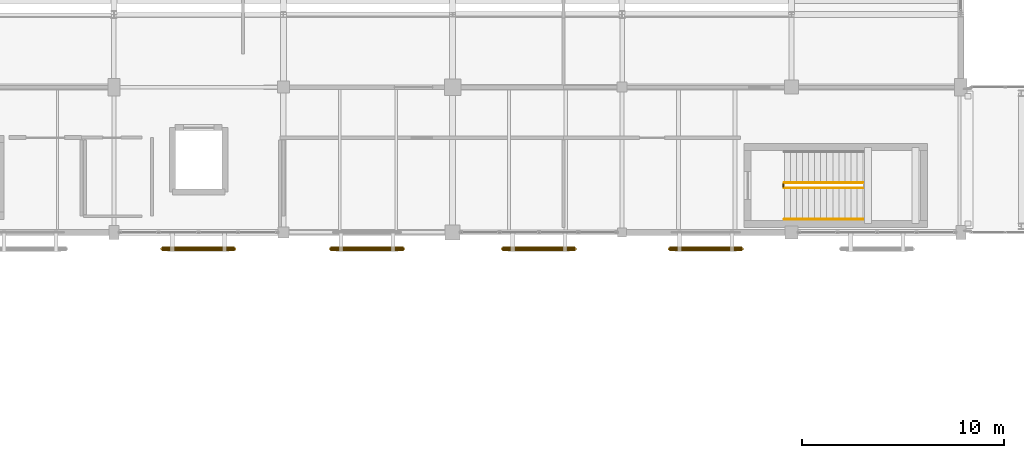
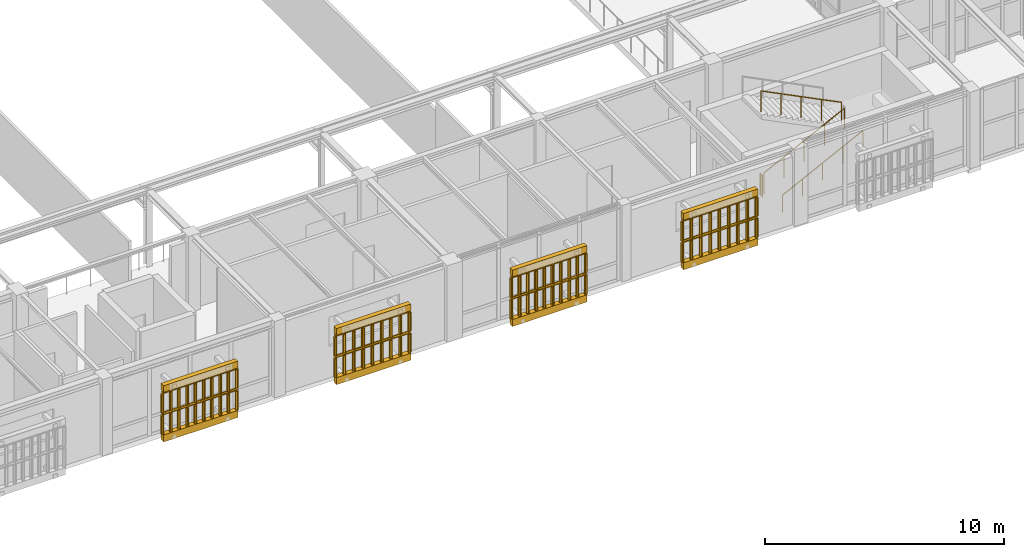
# One storey, part 159 of 170: 12 railings, 8 coverings.
"""IFC4 building model written with IfcOpenShell, lengths in metres."""

from ifc_helpers import new_model, si_unit, direction, frame, origin, origin_2d, place, context, subcontext, project, spatial, polyline, circle, outline, extrude, material, layer, layer_set, type_object, element, save


model = new_model("IFC4")

# Units and contexts
model_context = context("Model", 3, precision=1e-05, world=origin(), true_north=direction((0.0, 1.0)))
body_context = subcontext(model_context, "Body", "Model", "MODEL_VIEW")
ifc_project = project(units=[si_unit("LENGTHUNIT", "METRE"), si_unit("AREAUNIT", "SQUARE_METRE"), si_unit("VOLUMEUNIT", "CUBIC_METRE"), si_unit("PLANEANGLEUNIT", "RADIAN"), si_unit("MASSUNIT", "GRAM", prefix="KILO")], contexts=[model_context])

# Site, building, storey
site_placement = place(None, origin())
site = spatial("IfcSite", under=ifc_project, at=site_placement, CompositionType="ELEMENT")
building_placement = place(site_placement, origin())
building = spatial("IfcBuilding", under=site, at=building_placement, Name="Mazaris Harbour Polytechnic", CompositionType="ELEMENT")
storey_placement = place(building_placement, frame((0.0, 0.0, 5.39990234375)))
storey = spatial("IfcBuildingStorey", under=building, at=storey_placement, Name="L01", CompositionType="ELEMENT", Elevation=5.39990234375)

# Railings
ifc_material_1 = material(Name="Perforated Earth-Coloured Terracotta Block", Category="masonry")
railing_type_1 = type_object("IfcRailingType", Name="Perforated Earth-Block Claustra Lattice 1040", PredefinedType="BALUSTRADE", material=ifc_material_1)
for number, where, name in (
    (1, (76.78759765625, 74.780029296875, 0.52001953125), "V1 L01 Lower Perforated Terracotta Block Screen 6"),
    (2, (76.78759765625, 74.780029296875, 1.610107421875), "V1 L01 Upper Perforated Terracotta Block Screen 6"),
):
    element("IfcRailing", number, at=place(storey_placement, frame(where)), inside=storey, type_object=railing_type_1, Name=name, PredefinedType="BALUSTRADE", context=body_context, shape_type="SweptSolid", body=[
        extrude(circle(Radius=0.06982421875, at=origin_2d()), frame((0.0, 0.0, 1.02001953125), z_axis=(-1.0, 0.0, 0.0), x_axis=(0.0, -1.0, 0.0)), (0.0, 0.0, 1.0), 3.60009765625),
        extrude(circle(Radius=0.074951171875, at=origin_2d()), origin(), (0.0, 0.0, 1.0), 0.9501953125),
        extrude(circle(Radius=0.074951171875, at=origin_2d()), frame((-0.39990234375, 0.0, 0.0)), (0.0, 0.0, 1.0), 0.9501953125),
        extrude(circle(Radius=0.074951171875, at=origin_2d()), frame((-0.800048828125, 0.0, 0.0)), (0.0, 0.0, 1.0), 0.9501953125),
        extrude(circle(Radius=0.074951171875, at=origin_2d()), frame((-1.199951171875, 0.0, 0.0)), (0.0, 0.0, 1.0), 0.9501953125),
        extrude(circle(Radius=0.074951171875, at=origin_2d()), frame((-1.60009765625, 0.0, 0.0)), (0.0, 0.0, 1.0), 0.9501953125),
        extrude(circle(Radius=0.074951171875, at=origin_2d()), frame((-2.0, 0.0, 0.0)), (0.0, 0.0, 1.0), 0.9501953125),
        extrude(circle(Radius=0.074951171875, at=origin_2d()), frame((-2.400146484375, 0.0, 0.0)), (0.0, 0.0, 1.0), 0.9501953125),
        extrude(circle(Radius=0.074951171875, at=origin_2d()), frame((-2.800048828125, 0.0, 0.0)), (0.0, 0.0, 1.0), 0.9501953125),
        extrude(circle(Radius=0.074951171875, at=origin_2d()), frame((-3.2001953125, 0.0, 0.0)), (0.0, 0.0, 1.0), 0.9501953125),
        extrude(circle(Radius=0.074951171875, at=origin_2d()), frame((-3.60009765625, 0.0, 0.0)), (0.0, 0.0, 1.0), 0.9501953125),
    ])
for number, where, name in (
    (3, (85.14990234375, 74.780029296875, 0.52001953125), "V1 L01 Lower Perforated Terracotta Block Screen 7"),
    (4, (85.14990234375, 74.780029296875, 1.610107421875), "V1 L01 Upper Perforated Terracotta Block Screen 7"),
):
    element("IfcRailing", number, at=place(storey_placement, frame(where)), inside=storey, type_object=railing_type_1, Name=name, PredefinedType="BALUSTRADE", context=body_context, shape_type="SweptSolid", body=[
        extrude(circle(Radius=0.06982421875, at=origin_2d()), frame((0.0, 0.0, 1.02001953125), z_axis=(-1.0, 0.0, 0.0), x_axis=(0.0, -1.0, 0.0)), (0.0, 0.0, 1.0), 3.599853515625),
        extrude(circle(Radius=0.074951171875, at=origin_2d()), origin(), (0.0, 0.0, 1.0), 0.9501953125),
        extrude(circle(Radius=0.074951171875, at=origin_2d()), frame((-0.449951171875, 0.0, 0.0)), (0.0, 0.0, 1.0), 0.9501953125),
        extrude(circle(Radius=0.074951171875, at=origin_2d()), frame((-0.89990234375, 0.0, 0.0)), (0.0, 0.0, 1.0), 0.9501953125),
        extrude(circle(Radius=0.074951171875, at=origin_2d()), frame((-1.349853515625, 0.0, 0.0)), (0.0, 0.0, 1.0), 0.9501953125),
        extrude(circle(Radius=0.074951171875, at=origin_2d()), frame((-1.7998046875, 0.0, 0.0)), (0.0, 0.0, 1.0), 0.9501953125),
        extrude(circle(Radius=0.074951171875, at=origin_2d()), frame((-2.25, 0.0, 0.0)), (0.0, 0.0, 1.0), 0.9501953125),
        extrude(circle(Radius=0.074951171875, at=origin_2d()), frame((-2.699951171875, 0.0, 0.0)), (0.0, 0.0, 1.0), 0.9501953125),
        extrude(circle(Radius=0.074951171875, at=origin_2d()), frame((-3.14990234375, 0.0, 0.0)), (0.0, 0.0, 1.0), 0.9501953125),
        extrude(circle(Radius=0.074951171875, at=origin_2d()), frame((-3.599853515625, 0.0, 0.0)), (0.0, 0.0, 1.0), 0.9501953125),
    ])
for number, where, name in (
    (5, (93.675048828125, 74.780029296875, 0.52001953125), "V1 L01 Lower Perforated Terracotta Block Screen 8"),
    (6, (93.675048828125, 74.780029296875, 1.610107421875), "V1 L01 Upper Perforated Terracotta Block Screen 8"),
):
    element("IfcRailing", number, at=place(storey_placement, frame(where)), inside=storey, type_object=railing_type_1, Name=name, PredefinedType="BALUSTRADE", context=body_context, shape_type="SweptSolid", body=[
        extrude(circle(Radius=0.06982421875, at=origin_2d()), frame((0.0, 0.0, 1.02001953125), z_axis=(-1.0, 0.0, 0.0), x_axis=(0.0, -1.0, 0.0)), (0.0, 0.0, 1.0), 3.60009765625),
        extrude(circle(Radius=0.074951171875, at=origin_2d()), origin(), (0.0, 0.0, 1.0), 0.9501953125),
        extrude(circle(Radius=0.074951171875, at=origin_2d()), frame((-0.39990234375, 0.0, 0.0)), (0.0, 0.0, 1.0), 0.9501953125),
        extrude(circle(Radius=0.074951171875, at=origin_2d()), frame((-0.800048828125, 0.0, 0.0)), (0.0, 0.0, 1.0), 0.9501953125),
        extrude(circle(Radius=0.074951171875, at=origin_2d()), frame((-1.199951171875, 0.0, 0.0)), (0.0, 0.0, 1.0), 0.9501953125),
        extrude(circle(Radius=0.074951171875, at=origin_2d()), frame((-1.60009765625, 0.0, 0.0)), (0.0, 0.0, 1.0), 0.9501953125),
        extrude(circle(Radius=0.074951171875, at=origin_2d()), frame((-2.0, 0.0, 0.0)), (0.0, 0.0, 1.0), 0.9501953125),
        extrude(circle(Radius=0.074951171875, at=origin_2d()), frame((-2.400146484375, 0.0, 0.0)), (0.0, 0.0, 1.0), 0.9501953125),
        extrude(circle(Radius=0.074951171875, at=origin_2d()), frame((-2.800048828125, 0.0, 0.0)), (0.0, 0.0, 1.0), 0.9501953125),
        extrude(circle(Radius=0.074951171875, at=origin_2d()), frame((-3.2001953125, 0.0, 0.0)), (0.0, 0.0, 1.0), 0.9501953125),
        extrude(circle(Radius=0.074951171875, at=origin_2d()), frame((-3.60009765625, 0.0, 0.0)), (0.0, 0.0, 1.0), 0.9501953125),
    ])
for number, where, name in (
    (7, (101.949951171875, 74.780029296875, 0.52001953125), "V1 L01 Lower Perforated Terracotta Block Screen 9"),
    (8, (101.949951171875, 74.780029296875, 1.610107421875), "V1 L01 Upper Perforated Terracotta Block Screen 9"),
):
    element("IfcRailing", number, at=place(storey_placement, frame(where)), inside=storey, type_object=railing_type_1, Name=name, PredefinedType="BALUSTRADE", context=body_context, shape_type="SweptSolid", body=[
        extrude(circle(Radius=0.06982421875, at=origin_2d()), frame((0.0, 0.0, 1.02001953125), z_axis=(-1.0, 0.0, 0.0), x_axis=(0.0, -1.0, 0.0)), (0.0, 0.0, 1.0), 3.599853515625),
        extrude(circle(Radius=0.074951171875, at=origin_2d()), origin(), (0.0, 0.0, 1.0), 0.9501953125),
        extrude(circle(Radius=0.074951171875, at=origin_2d()), frame((-0.449951171875, 0.0, 0.0)), (0.0, 0.0, 1.0), 0.9501953125),
        extrude(circle(Radius=0.074951171875, at=origin_2d()), frame((-0.89990234375, 0.0, 0.0)), (0.0, 0.0, 1.0), 0.9501953125),
        extrude(circle(Radius=0.074951171875, at=origin_2d()), frame((-1.349853515625, 0.0, 0.0)), (0.0, 0.0, 1.0), 0.9501953125),
        extrude(circle(Radius=0.074951171875, at=origin_2d()), frame((-1.7998046875, 0.0, 0.0)), (0.0, 0.0, 1.0), 0.9501953125),
        extrude(circle(Radius=0.074951171875, at=origin_2d()), frame((-2.25, 0.0, 0.0)), (0.0, 0.0, 1.0), 0.9501953125),
        extrude(circle(Radius=0.074951171875, at=origin_2d()), frame((-2.699951171875, 0.0, 0.0)), (0.0, 0.0, 1.0), 0.9501953125),
        extrude(circle(Radius=0.074951171875, at=origin_2d()), frame((-3.14990234375, 0.0, 0.0)), (0.0, 0.0, 1.0), 0.9501953125),
        extrude(circle(Radius=0.074951171875, at=origin_2d()), frame((-3.599853515625, 0.0, 0.0)), (0.0, 0.0, 1.0), 0.9501953125),
    ])
ifc_material_2 = material(Name="Stainless Steel S355", Category="steel")
railing_type_2 = type_object("IfcRailingType", Name="Stair Wall Handrail 900", PredefinedType="HANDRAIL", material=ifc_material_2)
railing_1_placement = place(storey_placement, frame((104.050048828125, 76.25, 0.150146484375)))
element("IfcRailing", 9, at=railing_1_placement, inside=storey, type_object=railing_type_2, Name="L01 ST02 stair handrail 1", PredefinedType="HANDRAIL", context=body_context, shape_type="SweptSolid", body=[
    extrude(circle(Radius=0.02392578125, at=origin_2d()), frame((0.0, 0.0, 0.8759765625), z_axis=(0.894427191, 0.0, 0.4472135955), x_axis=(0.0, 1.0, 0.0)), (0.0, 0.0, 1.0), 4.360107421875),
    extrude(circle(Radius=0.02099609375, at=origin_2d()), origin(), (0.0, 0.0, 1.0), 0.851806640625),
    extrude(circle(Radius=0.02099609375, at=origin_2d()), frame((0.97509765625, 0.0, 0.487548828125)), (0.0, 0.0, 1.0), 0.851806640625),
    extrude(circle(Radius=0.02099609375, at=origin_2d()), frame((1.949951171875, 0.0, 0.97509765625)), (0.0, 0.0, 1.0), 0.851806640625),
    extrude(circle(Radius=0.02099609375, at=origin_2d()), frame((2.9248046875, 0.0, 1.46240234375)), (0.0, 0.0, 1.0), 0.851806640625),
    extrude(circle(Radius=0.02099609375, at=origin_2d()), frame((3.89990234375, 0.0, 1.949951171875)), (0.0, 0.0, 1.0), 0.851806640625),
])
ifc_material_3 = material(Name="Steel S355", Category="steel")
railing_type_3 = type_object("IfcRailingType", Name="Stair Well Guardrail 1100", PredefinedType="GUARDRAIL", material=ifc_material_3)
railing_2_placement = place(storey_placement, frame((104.050048828125, 77.800048828125, 0.150146484375)))
element("IfcRailing", 10, at=railing_2_placement, inside=storey, type_object=railing_type_3, Name="L01 ST02 stair guard 1", PredefinedType="GUARDRAIL", context=body_context, shape_type="SweptSolid", body=[
    extrude(circle(Radius=0.02392578125, at=origin_2d()), frame((0.0, 0.0, 1.076171875), z_axis=(0.894427191, 0.0, 0.4472135955), x_axis=(0.0, 1.0, 0.0)), (0.0, 0.0, 1.0), 4.360107421875),
    extrude(circle(Radius=0.02099609375, at=origin_2d()), origin(), (0.0, 0.0, 1.0), 1.052001953125),
    extrude(circle(Radius=0.02099609375, at=origin_2d()), frame((0.97509765625, 0.0, 0.487548828125)), (0.0, 0.0, 1.0), 1.052001953125),
    extrude(circle(Radius=0.02099609375, at=origin_2d()), frame((1.949951171875, 0.0, 0.97509765625)), (0.0, 0.0, 1.0), 1.052001953125),
    extrude(circle(Radius=0.02099609375, at=origin_2d()), frame((2.9248046875, 0.0, 1.46240234375)), (0.0, 0.0, 1.0), 1.052001953125),
    extrude(circle(Radius=0.02099609375, at=origin_2d()), frame((3.89990234375, 0.0, 1.949951171875)), (0.0, 0.0, 1.0), 1.052001953125),
])
railing_3_placement = place(storey_placement, frame((107.949951171875, 78.050048828125, 2.25)))
element("IfcRailing", 11, at=railing_3_placement, inside=storey, type_object=railing_type_3, Name="L01 ST02 stair guard 3", PredefinedType="GUARDRAIL", context=body_context, shape_type="SweptSolid", body=[
    extrude(circle(Radius=0.02392578125, at=origin_2d()), frame((0.0, 0.0, 1.076171875), z_axis=(-0.894404793364, 0.0, 0.447258387967), x_axis=(0.0, -1.0, 0.0)), (0.0, 0.0, 1.0), 4.3603515625),
    extrude(circle(Radius=0.02099609375, at=origin_2d()), origin(), (0.0, 0.0, 1.0), 1.052001953125),
    extrude(circle(Radius=0.02099609375, at=origin_2d()), frame((-0.97509765625, 0.0, 0.487548828125)), (0.0, 0.0, 1.0), 1.052001953125),
    extrude(circle(Radius=0.02099609375, at=origin_2d()), frame((-1.949951171875, 0.0, 0.97509765625)), (0.0, 0.0, 1.0), 1.052001953125),
    extrude(circle(Radius=0.02099609375, at=origin_2d()), frame((-2.9248046875, 0.0, 1.462646484375)), (0.0, 0.0, 1.0), 1.052001953125),
    extrude(circle(Radius=0.02099609375, at=origin_2d()), frame((-3.89990234375, 0.0, 1.9501953125)), (0.0, 0.0, 1.0), 1.052001953125),
])
railing_4_placement = place(storey_placement, frame((104.0, 77.85009765625, 0.0)))
element("IfcRailing", 12, at=railing_4_placement, inside=storey, type_object=railing_type_3, Name="L01 ST02 stair guard 4", PredefinedType="GUARDRAIL", context=body_context, shape_type="SweptSolid", body=[
    extrude(circle(Radius=0.02392578125, at=origin_2d()), frame((0.0, 0.0, 1.076171875), z_axis=(0.0, 1.0, 0.0), x_axis=(-1.0, 0.0, 0.0)), (0.0, 0.0, 1.0), 0.14990234375),
    extrude(circle(Radius=0.02099609375, at=origin_2d()), origin(), (0.0, 0.0, 1.0), 1.052001953125),
    extrude(circle(Radius=0.02099609375, at=origin_2d()), frame((0.0, 0.14990234375, 0.0)), (0.0, 0.0, 1.0), 1.052001953125),
])

# Coverings
ifc_material_4 = material(Name="Perforated Earth-Coloured Terracotta Block", Category="masonry")
ifc_layer = layer(ifc_material_4, 0.219970703125, Name="Perforated Earth-Coloured Terracotta Block")
ifc_layer_set = layer_set([ifc_layer], Name="Perforated Earth-Coloured Terracotta Block")
covering_type = type_object("IfcCoveringType", Name="Terracotta Screen Course Cladding 220", PredefinedType="CLADDING", material=ifc_layer_set)
covering_1_placement = place(storey_placement, frame((0.0, 0.0, 0.16015625)))
element("IfcCovering", 13, at=covering_1_placement, inside=storey, type_object=covering_type, Name="V1 L01 Perforated Screen Sill Course 6", PredefinedType="CLADDING", context=body_context, shape_type="SweptSolid", body=[
    extrude(outline(polyline([(76.78759765625, 74.889892578125), (73.1875, 74.889892578125), (73.1875, 74.669921875), (76.78759765625, 74.669921875), (76.78759765625, 74.889892578125)])), origin(), (0.0, 0.0, 1.0), 0.35986328125),
])
covering_2_placement = place(storey_placement, frame((0.0, 0.0, 2.7001953125)))
element("IfcCovering", 14, at=covering_2_placement, inside=storey, type_object=covering_type, Name="V1 L01 Perforated Screen Lintel Course 6", PredefinedType="CLADDING", context=body_context, shape_type="SweptSolid", body=[
    extrude(outline(polyline([(76.78759765625, 74.889892578125), (73.1875, 74.889892578125), (73.1875, 74.669921875), (76.78759765625, 74.669921875), (76.78759765625, 74.889892578125)])), origin(), (0.0, 0.0, 1.0), 0.33984375),
])
covering_3_placement = place(storey_placement, frame((0.0, 0.0, 0.16015625)))
element("IfcCovering", 15, at=covering_3_placement, inside=storey, type_object=covering_type, Name="V1 L01 Perforated Screen Sill Course 7", PredefinedType="CLADDING", context=body_context, shape_type="SweptSolid", body=[
    extrude(outline(polyline([(85.14990234375, 74.889892578125), (81.550048828125, 74.889892578125), (81.550048828125, 74.669921875), (85.14990234375, 74.669921875), (85.14990234375, 74.889892578125)])), origin(), (0.0, 0.0, 1.0), 0.35986328125),
])
covering_4_placement = place(storey_placement, frame((0.0, 0.0, 2.7001953125)))
element("IfcCovering", 16, at=covering_4_placement, inside=storey, type_object=covering_type, Name="V1 L01 Perforated Screen Lintel Course 7", PredefinedType="CLADDING", context=body_context, shape_type="SweptSolid", body=[
    extrude(outline(polyline([(85.14990234375, 74.889892578125), (81.550048828125, 74.889892578125), (81.550048828125, 74.669921875), (85.14990234375, 74.669921875), (85.14990234375, 74.889892578125)])), origin(), (0.0, 0.0, 1.0), 0.33984375),
])
covering_5_placement = place(storey_placement, frame((0.0, 0.0, 0.16015625)))
element("IfcCovering", 17, at=covering_5_placement, inside=storey, type_object=covering_type, Name="V1 L01 Perforated Screen Sill Course 8", PredefinedType="CLADDING", context=body_context, shape_type="SweptSolid", body=[
    extrude(outline(polyline([(93.675048828125, 74.889892578125), (90.074951171875, 74.889892578125), (90.074951171875, 74.669921875), (93.675048828125, 74.669921875), (93.675048828125, 74.889892578125)])), origin(), (0.0, 0.0, 1.0), 0.35986328125),
])
covering_6_placement = place(storey_placement, frame((0.0, 0.0, 2.7001953125)))
element("IfcCovering", 18, at=covering_6_placement, inside=storey, type_object=covering_type, Name="V1 L01 Perforated Screen Lintel Course 8", PredefinedType="CLADDING", context=body_context, shape_type="SweptSolid", body=[
    extrude(outline(polyline([(93.675048828125, 74.889892578125), (90.074951171875, 74.889892578125), (90.074951171875, 74.669921875), (93.675048828125, 74.669921875), (93.675048828125, 74.889892578125)])), origin(), (0.0, 0.0, 1.0), 0.33984375),
])
covering_7_placement = place(storey_placement, frame((0.0, 0.0, 0.16015625)))
element("IfcCovering", 19, at=covering_7_placement, inside=storey, type_object=covering_type, Name="V1 L01 Perforated Screen Sill Course 9", PredefinedType="CLADDING", context=body_context, shape_type="SweptSolid", body=[
    extrude(outline(polyline([(101.949951171875, 74.889892578125), (98.35009765625, 74.889892578125), (98.35009765625, 74.669921875), (101.949951171875, 74.669921875), (101.949951171875, 74.889892578125)])), origin(), (0.0, 0.0, 1.0), 0.35986328125),
])
covering_8_placement = place(storey_placement, frame((0.0, 0.0, 2.7001953125)))
element("IfcCovering", 20, at=covering_8_placement, inside=storey, type_object=covering_type, Name="V1 L01 Perforated Screen Lintel Course 9", PredefinedType="CLADDING", context=body_context, shape_type="SweptSolid", body=[
    extrude(outline(polyline([(101.949951171875, 74.889892578125), (98.35009765625, 74.889892578125), (98.35009765625, 74.669921875), (101.949951171875, 74.669921875), (101.949951171875, 74.889892578125)])), origin(), (0.0, 0.0, 1.0), 0.33984375),
])

save(model, "model.ifc")
